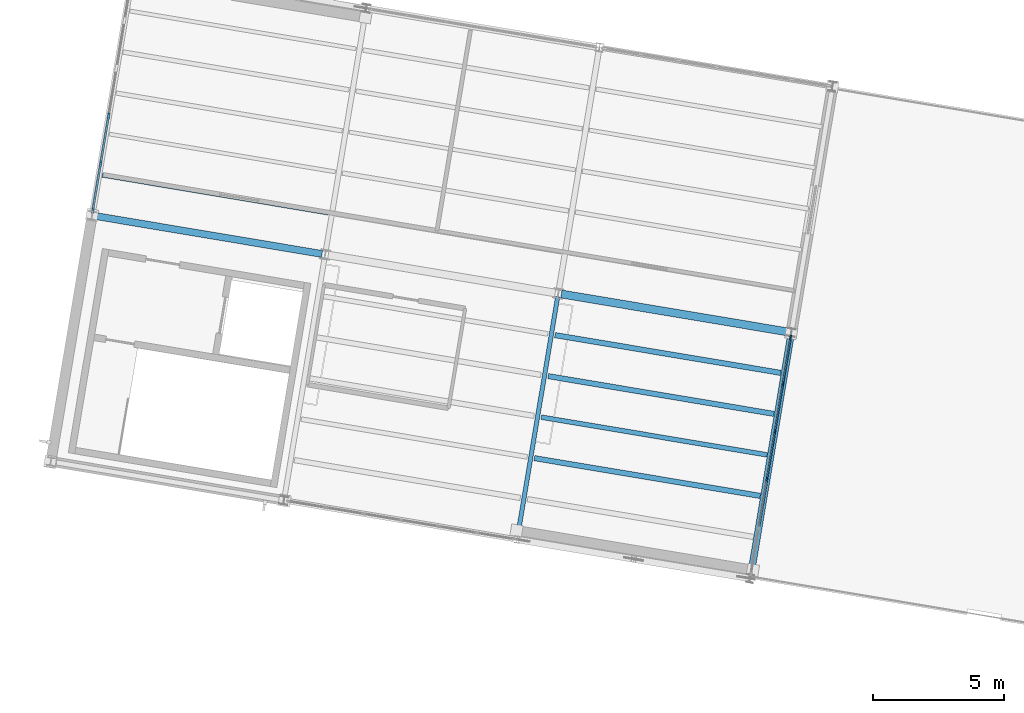
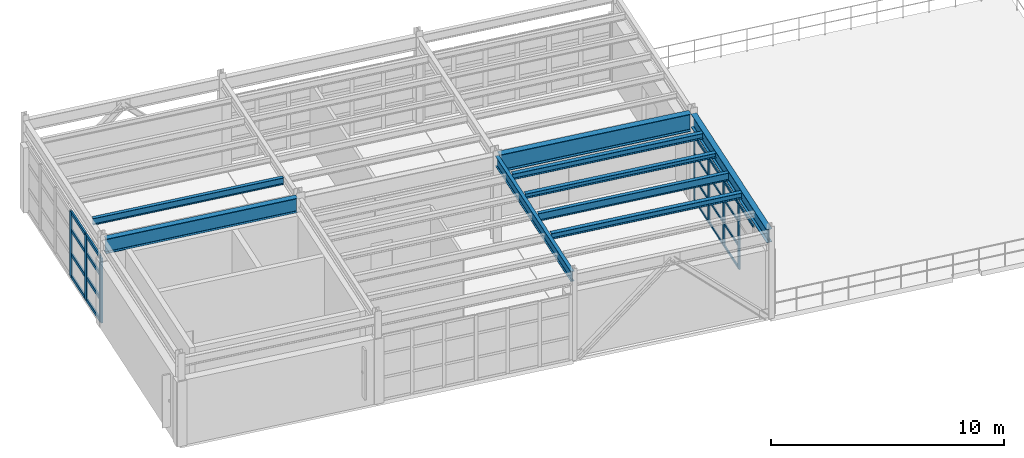
# One storey, part 24 of 59: 28 members, 9 beams, 2 elements without a shape of their own.
"""IFC4 building model written with IfcOpenShell, lengths in metres."""

from ifc_helpers import new_model, si_unit, direction, frame, origin, origin_2d, place, context, subcontext, project, spatial, rectangle, i_section, extrude, material, layer, layer_set, material_profile, profile_set, type_object, element, aggregate, save


model = new_model("IFC4")

# Units and contexts
model_context = context("Model", 3, precision=1e-05, world=origin(), true_north=direction((0.0, 1.0)))
body_context = subcontext(model_context, "Body", "Model", "MODEL_VIEW")
ifc_project = project(units=[si_unit("LENGTHUNIT", "METRE"), si_unit("AREAUNIT", "SQUARE_METRE"), si_unit("VOLUMEUNIT", "CUBIC_METRE"), si_unit("PLANEANGLEUNIT", "RADIAN"), si_unit("MASSUNIT", "GRAM", prefix="KILO")], contexts=[model_context])

# Site, building, storey
site_placement = place(None, origin())
site = spatial("IfcSite", under=ifc_project, at=site_placement, CompositionType="ELEMENT")
building_placement = place(site_placement, origin())
building = spatial("IfcBuilding", under=site, at=building_placement, Name="Vireo Bluff Cable Station", CompositionType="ELEMENT")
storey_placement = place(building_placement, frame((0.0, 0.0, 14.39990234375)))
storey = spatial("IfcBuildingStorey", under=building, at=storey_placement, Name="L03", CompositionType="ELEMENT", Elevation=14.39990234375)

# Beam
ifc_material_1 = material(Name="Steel ASTM A992 Gr. 50", Category="steel")
ifc_material_profile_1 = material_profile(ifc_material_1, i_section(OverallWidth=0.166015625, OverallDepth=0.528076171875, WebThickness=0.009765625, FlangeThickness=0.013671875, FilletRadius=0.012939453125, at=origin_2d()), Name="W21X50")
ifc_profile_set_1 = profile_set([ifc_material_profile_1], Name="Steel ASTM A992 Gr. 50")
beam_type_1 = type_object("IfcBeamType", Name="BM-W21X50", PredefinedType="BEAM", material=ifc_profile_set_1)
beam_1_placement = place(storey_placement, frame((24.8408203125, 78.01708984375, 4.236083984375), z_axis=(0.165044536891, 0.986286115102, 0.0), x_axis=(-0.986286115102, 0.165044536891, 0.0)))
element("IfcBeam", 1, at=beam_1_placement, inside=storey, type_object=beam_type_1, Name="V4 L03 beam 1061", PredefinedType="BEAM", context=body_context, shape_type="SweptSolid", body=[
    extrude(i_section(OverallWidth=0.166015625, OverallDepth=0.528076171875, WebThickness=0.009765625, FlangeThickness=0.013671875, FilletRadius=0.012939453125, at=origin_2d()), origin(), (0.0, 0.0, 1.0), 9.260009765625),
])

# Curtain wall, members
ifc_material_2 = material(Name="Anodized Aluminium 6063-T6", Category="aluminium")
ifc_layer_1 = layer(ifc_material_2, 0.159912109375, Name="Anodized Aluminium 6063-T6")
ifc_layer_set_1 = layer_set([ifc_layer_1], Name="Anodized Aluminium 6063-T6")
curtain_wall_type_1 = type_object("IfcCurtainWallType", Name="CW-STICK-1750", PredefinedType="USERDEFINED", material=ifc_layer_set_1)
curtain_wall_1_placement = place(storey_placement, origin())
curtain_wall_1 = element("IfcCurtainWall", 2, at=curtain_wall_1_placement, inside=storey, type_object=curtain_wall_type_1, Name="V4 L03 east curtain wall CW-110", ObjectType="STICK CURTAIN WALL", PredefinedType="USERDEFINED")
ifc_material_profile_2 = material_profile(ifc_material_2, rectangle(XDim=0.06005859375, YDim=0.159912109375, at=origin_2d()), Name="ALU-M-60X160")
ifc_profile_set_2 = profile_set([ifc_material_profile_2], Name="Anodized Aluminium 6063-T6")
member_type_1 = type_object("IfcMemberType", Name="CWM-03", PredefinedType="MULLION", material=ifc_profile_set_2)
member_1_placement = place(storey_placement, frame((35.235107421875, 85.60009765625, 0.0), z_axis=(0.0, 0.0, 1.0), x_axis=(0.986285602456, -0.165047600369, 0.0)))
member_1 = element("IfcMember", 3, at=member_1_placement, type_object=member_type_1, Name="CW-110 mullion 1", PredefinedType="MULLION", context=body_context, shape_type="SweptSolid", body=[
    extrude(rectangle(XDim=0.06005859375, YDim=0.159912109375, at=origin_2d()), origin(), (0.0, 0.0, 1.0), 3.400146484375),
])
member_2_placement = place(storey_placement, frame((34.9365234375, 83.817138671875, 0.0), z_axis=(0.0, 0.0, 1.0), x_axis=(0.986285602456, -0.165047600369, 0.0)))
member_2 = element("IfcMember", 4, at=member_2_placement, type_object=member_type_1, Name="CW-110 mullion 2", PredefinedType="MULLION", context=body_context, shape_type="SweptSolid", body=[
    extrude(rectangle(XDim=0.06005859375, YDim=0.159912109375, at=origin_2d()), origin(), (0.0, 0.0, 1.0), 3.400146484375),
])
member_3_placement = place(storey_placement, frame((34.63330078125, 82.00439453125, 0.0), z_axis=(0.0, 0.0, 1.0), x_axis=(0.986285602456, -0.165047600369, 0.0)))
member_3 = element("IfcMember", 5, at=member_3_placement, type_object=member_type_1, Name="CW-110 mullion 3", PredefinedType="MULLION", context=body_context, shape_type="SweptSolid", body=[
    extrude(rectangle(XDim=0.06005859375, YDim=0.159912109375, at=origin_2d()), origin(), (0.0, 0.0, 1.0), 3.400146484375),
])
member_4_placement = place(storey_placement, frame((34.329833984375, 80.191650390625, 0.0), z_axis=(0.0, 0.0, 1.0), x_axis=(0.986285602456, -0.165047600369, 0.0)))
member_4 = element("IfcMember", 6, at=member_4_placement, type_object=member_type_1, Name="CW-110 mullion 4", PredefinedType="MULLION", context=body_context, shape_type="SweptSolid", body=[
    extrude(rectangle(XDim=0.06005859375, YDim=0.159912109375, at=origin_2d()), origin(), (0.0, 0.0, 1.0), 3.400146484375),
])

ifc_layer_2 = layer(ifc_material_2, 0.159912109375, Name="Anodized Aluminium 6063-T6")
ifc_layer_set_2 = layer_set([ifc_layer_2], Name="Anodized Aluminium 6063-T6")
curtain_wall_type_2 = type_object("IfcCurtainWallType", Name="CW-STICK-1850", PredefinedType="USERDEFINED", material=ifc_layer_set_2)
curtain_wall_2_placement = place(storey_placement, origin())
curtain_wall_2 = element("IfcCurtainWall", 7, at=curtain_wall_2_placement, inside=storey, type_object=curtain_wall_type_2, Name="V4 L03 west curtain wall CW-107", ObjectType="STICK CURTAIN WALL", PredefinedType="USERDEFINED")
ifc_material_profile_3 = material_profile(ifc_material_2, rectangle(XDim=0.080078125, YDim=0.239990234375, at=origin_2d()), Name="ALU-M-80X240")
ifc_profile_set_3 = profile_set([ifc_material_profile_3], Name="Anodized Aluminium 6063-T6")
member_type_2 = type_object("IfcMemberType", Name="CWM-04", PredefinedType="MULLION", material=ifc_profile_set_3)
member_5_placement = place(storey_placement, frame((8.6689453125, 90.436279296875, 0.0), z_axis=(0.0, 0.0, 1.0), x_axis=(-0.986285614232, 0.165047529999, 0.0)))
member_5 = element("IfcMember", 8, at=member_5_placement, type_object=member_type_2, Name="CW-107 mullion 1", PredefinedType="MULLION", context=body_context, shape_type="SweptSolid", body=[
    extrude(rectangle(XDim=0.080078125, YDim=0.239990234375, at=origin_2d()), origin(), (0.0, 0.0, 1.0), 3.400146484375),
])
member_6_placement = place(storey_placement, frame((8.966064453125, 92.212890625, 0.0), z_axis=(0.0, 0.0, 1.0), x_axis=(-0.986285614232, 0.165047529999, 0.0)))
member_6 = element("IfcMember", 9, at=member_6_placement, type_object=member_type_2, Name="CW-107 mullion 2", PredefinedType="MULLION", context=body_context, shape_type="SweptSolid", body=[
    extrude(rectangle(XDim=0.080078125, YDim=0.239990234375, at=origin_2d()), origin(), (0.0, 0.0, 1.0), 3.400146484375),
])
member_7_placement = place(storey_placement, frame((9.27001953125, 94.02880859375, 0.0), z_axis=(0.0, 0.0, 1.0), x_axis=(-0.986285614232, 0.165047529999, 0.0)))
member_7 = element("IfcMember", 10, at=member_7_placement, type_object=member_type_2, Name="CW-107 mullion 3", PredefinedType="MULLION", context=body_context, shape_type="SweptSolid", body=[
    extrude(rectangle(XDim=0.080078125, YDim=0.239990234375, at=origin_2d()), origin(), (0.0, 0.0, 1.0), 3.400146484375),
])

# Member
ifc_material_profile_4 = material_profile(ifc_material_2, rectangle(XDim=0.06005859375, YDim=0.1201171875, at=origin_2d()), Name="ALU-T-60X120")
ifc_profile_set_4 = profile_set([ifc_material_profile_4], Name="Anodized Aluminium 6063-T6")
member_type_3 = type_object("IfcMemberType", Name="CWT-03", PredefinedType="USERDEFINED", material=ifc_profile_set_4)
member_8_placement = place(storey_placement, frame((35.22998046875, 85.570556640625, 0.030029296875), z_axis=(-0.164965241336, -0.986299381096, 0.0), x_axis=(0.986299381096, -0.164965241336, 0.0)))
member_8 = element("IfcMember", 11, at=member_8_placement, type_object=member_type_3, Name="CW-110 transom 1.1", ObjectType="TRANSOM", PredefinedType="USERDEFINED", context=body_context, shape_type="SweptSolid", body=[
    extrude(rectangle(XDim=0.06005859375, YDim=0.1201171875, at=origin_2d()), origin(), (0.0, 0.0, 1.0), 1.747802734375),
])

member_9_placement = place(storey_placement, frame((35.22998046875, 85.570556640625, 1.190185546875), z_axis=(-0.164965241336, -0.986299381096, 0.0), x_axis=(0.986299381096, -0.164965241336, 0.0)))
member_9 = element("IfcMember", 12, at=member_9_placement, type_object=member_type_3, Name="CW-110 transom 1.2", ObjectType="TRANSOM", PredefinedType="USERDEFINED", context=body_context, shape_type="SweptSolid", body=[
    extrude(rectangle(XDim=0.06005859375, YDim=0.1201171875, at=origin_2d()), origin(), (0.0, 0.0, 1.0), 1.747802734375),
])

member_10_placement = place(storey_placement, frame((35.22998046875, 85.570556640625, 2.447998046875), z_axis=(-0.164965241336, -0.986299381096, 0.0), x_axis=(0.986299381096, -0.164965241336, 0.0)))
member_10 = element("IfcMember", 13, at=member_10_placement, type_object=member_type_3, Name="CW-110 transom 1.3", ObjectType="TRANSOM", PredefinedType="USERDEFINED", context=body_context, shape_type="SweptSolid", body=[
    extrude(rectangle(XDim=0.06005859375, YDim=0.1201171875, at=origin_2d()), origin(), (0.0, 0.0, 1.0), 1.747802734375),
])

member_11_placement = place(storey_placement, frame((35.22998046875, 85.570556640625, 3.3701171875), z_axis=(-0.164965241336, -0.986299381096, 0.0), x_axis=(0.986299381096, -0.164965241336, 0.0)))
member_11 = element("IfcMember", 14, at=member_11_placement, type_object=member_type_3, Name="CW-110 transom 1.4", ObjectType="TRANSOM", PredefinedType="USERDEFINED", context=body_context, shape_type="SweptSolid", body=[
    extrude(rectangle(XDim=0.06005859375, YDim=0.1201171875, at=origin_2d()), origin(), (0.0, 0.0, 1.0), 1.747802734375),
])

member_12_placement = place(storey_placement, frame((34.931640625, 83.78759765625, 0.030029296875), z_axis=(-0.165044672569, -0.986286092397, 0.0), x_axis=(0.986286092397, -0.165044672569, 0.0)))
member_12 = element("IfcMember", 15, at=member_12_placement, type_object=member_type_3, Name="CW-110 transom 2.1", ObjectType="TRANSOM", PredefinedType="USERDEFINED", context=body_context, shape_type="SweptSolid", body=[
    extrude(rectangle(XDim=0.06005859375, YDim=0.1201171875, at=origin_2d()), origin(), (0.0, 0.0, 1.0), 1.778076171875),
])

member_13_placement = place(storey_placement, frame((34.931640625, 83.78759765625, 1.190185546875), z_axis=(-0.165044672569, -0.986286092397, 0.0), x_axis=(0.986286092397, -0.165044672569, 0.0)))
member_13 = element("IfcMember", 16, at=member_13_placement, type_object=member_type_3, Name="CW-110 transom 2.2", ObjectType="TRANSOM", PredefinedType="USERDEFINED", context=body_context, shape_type="SweptSolid", body=[
    extrude(rectangle(XDim=0.06005859375, YDim=0.1201171875, at=origin_2d()), origin(), (0.0, 0.0, 1.0), 1.778076171875),
])

member_14_placement = place(storey_placement, frame((34.931640625, 83.78759765625, 2.447998046875), z_axis=(-0.165044672569, -0.986286092397, 0.0), x_axis=(0.986286092397, -0.165044672569, 0.0)))
member_14 = element("IfcMember", 17, at=member_14_placement, type_object=member_type_3, Name="CW-110 transom 2.3", ObjectType="TRANSOM", PredefinedType="USERDEFINED", context=body_context, shape_type="SweptSolid", body=[
    extrude(rectangle(XDim=0.06005859375, YDim=0.1201171875, at=origin_2d()), origin(), (0.0, 0.0, 1.0), 1.778076171875),
])

member_15_placement = place(storey_placement, frame((34.931640625, 83.78759765625, 3.3701171875), z_axis=(-0.165044672569, -0.986286092397, 0.0), x_axis=(0.986286092397, -0.165044672569, 0.0)))
member_15 = element("IfcMember", 18, at=member_15_placement, type_object=member_type_3, Name="CW-110 transom 2.4", ObjectType="TRANSOM", PredefinedType="USERDEFINED", context=body_context, shape_type="SweptSolid", body=[
    extrude(rectangle(XDim=0.06005859375, YDim=0.1201171875, at=origin_2d()), origin(), (0.0, 0.0, 1.0), 1.778076171875),
])

member_16_placement = place(storey_placement, frame((34.62841796875, 81.974853515625, 0.030029296875), z_axis=(-0.165044672569, -0.986286092397, 0.0), x_axis=(0.986286092397, -0.165044672569, 0.0)))
member_16 = element("IfcMember", 19, at=member_16_placement, type_object=member_type_3, Name="CW-110 transom 3.1", ObjectType="TRANSOM", PredefinedType="USERDEFINED", context=body_context, shape_type="SweptSolid", body=[
    extrude(rectangle(XDim=0.06005859375, YDim=0.1201171875, at=origin_2d()), origin(), (0.0, 0.0, 1.0), 1.778076171875),
])

member_17_placement = place(storey_placement, frame((34.62841796875, 81.974853515625, 1.190185546875), z_axis=(-0.165044672569, -0.986286092397, 0.0), x_axis=(0.986286092397, -0.165044672569, 0.0)))
member_17 = element("IfcMember", 20, at=member_17_placement, type_object=member_type_3, Name="CW-110 transom 3.2", ObjectType="TRANSOM", PredefinedType="USERDEFINED", context=body_context, shape_type="SweptSolid", body=[
    extrude(rectangle(XDim=0.06005859375, YDim=0.1201171875, at=origin_2d()), origin(), (0.0, 0.0, 1.0), 1.778076171875),
])

member_18_placement = place(storey_placement, frame((34.62841796875, 81.974853515625, 2.447998046875), z_axis=(-0.165044672569, -0.986286092397, 0.0), x_axis=(0.986286092397, -0.165044672569, 0.0)))
member_18 = element("IfcMember", 21, at=member_18_placement, type_object=member_type_3, Name="CW-110 transom 3.3", ObjectType="TRANSOM", PredefinedType="USERDEFINED", context=body_context, shape_type="SweptSolid", body=[
    extrude(rectangle(XDim=0.06005859375, YDim=0.1201171875, at=origin_2d()), origin(), (0.0, 0.0, 1.0), 1.778076171875),
])

member_19_placement = place(storey_placement, frame((34.62841796875, 81.974853515625, 3.3701171875), z_axis=(-0.165044672569, -0.986286092397, 0.0), x_axis=(0.986286092397, -0.165044672569, 0.0)))
member_19 = element("IfcMember", 22, at=member_19_placement, type_object=member_type_3, Name="CW-110 transom 3.4", ObjectType="TRANSOM", PredefinedType="USERDEFINED", context=body_context, shape_type="SweptSolid", body=[
    extrude(rectangle(XDim=0.06005859375, YDim=0.1201171875, at=origin_2d()), origin(), (0.0, 0.0, 1.0), 1.778076171875),
])

member_20_placement = place(storey_placement, frame((34.324951171875, 80.162109375, 3.3701171875), z_axis=(-0.165067026786, -0.986282351392, 0.0), x_axis=(0.986282351392, -0.165067026786, 0.0)))
member_20 = element("IfcMember", 23, at=member_20_placement, type_object=member_type_3, Name="CW-110 transom 4.4", ObjectType="TRANSOM", PredefinedType="USERDEFINED", context=body_context, shape_type="SweptSolid", body=[
    extrude(rectangle(XDim=0.06005859375, YDim=0.1201171875, at=origin_2d()), origin(), (0.0, 0.0, 1.0), 1.77783203125),
])

aggregate(curtain_wall_1, [member_1, member_2, member_3, member_4, member_8, member_9, member_10, member_11, member_12, member_13, member_14, member_15, member_16, member_17, member_18, member_19, member_20])

ifc_material_profile_5 = material_profile(ifc_material_2, rectangle(XDim=0.080078125, YDim=0.175048828125, at=origin_2d()), Name="ALU-T-80X175")
ifc_profile_set_5 = profile_set([ifc_material_profile_5], Name="Anodized Aluminium 6063-T6")
member_type_4 = type_object("IfcMemberType", Name="CWT-04", PredefinedType="USERDEFINED", material=ifc_profile_set_5)
member_21_placement = place(storey_placement, frame((8.675537109375, 90.4755859375, 0.0400390625), z_axis=(0.164950957517, 0.986301770055, 0.0), x_axis=(-0.986301770055, 0.164950957517, 0.0)))
member_21 = element("IfcMember", 24, at=member_21_placement, type_object=member_type_4, Name="CW-107 transom 1.1", ObjectType="TRANSOM", PredefinedType="USERDEFINED", context=body_context, shape_type="SweptSolid", body=[
    extrude(rectangle(XDim=0.080078125, YDim=0.175048828125, at=origin_2d()), origin(), (0.0, 0.0, 1.0), 1.721435546875),
])

member_22_placement = place(storey_placement, frame((8.675537109375, 90.4755859375, 1.190185546875), z_axis=(0.164950957517, 0.986301770055, 0.0), x_axis=(-0.986301770055, 0.164950957517, 0.0)))
member_22 = element("IfcMember", 25, at=member_22_placement, type_object=member_type_4, Name="CW-107 transom 1.2", ObjectType="TRANSOM", PredefinedType="USERDEFINED", context=body_context, shape_type="SweptSolid", body=[
    extrude(rectangle(XDim=0.080078125, YDim=0.175048828125, at=origin_2d()), origin(), (0.0, 0.0, 1.0), 1.721435546875),
])

member_23_placement = place(storey_placement, frame((8.675537109375, 90.4755859375, 2.447998046875), z_axis=(0.164950957517, 0.986301770055, 0.0), x_axis=(-0.986301770055, 0.164950957517, 0.0)))
member_23 = element("IfcMember", 26, at=member_23_placement, type_object=member_type_4, Name="CW-107 transom 1.3", ObjectType="TRANSOM", PredefinedType="USERDEFINED", context=body_context, shape_type="SweptSolid", body=[
    extrude(rectangle(XDim=0.080078125, YDim=0.175048828125, at=origin_2d()), origin(), (0.0, 0.0, 1.0), 1.721435546875),
])

member_24_placement = place(storey_placement, frame((8.675537109375, 90.4755859375, 3.360107421875), z_axis=(0.164950957517, 0.986301770055, 0.0), x_axis=(-0.986301770055, 0.164950957517, 0.0)))
member_24 = element("IfcMember", 27, at=member_24_placement, type_object=member_type_4, Name="CW-107 transom 1.4", ObjectType="TRANSOM", PredefinedType="USERDEFINED", context=body_context, shape_type="SweptSolid", body=[
    extrude(rectangle(XDim=0.080078125, YDim=0.175048828125, at=origin_2d()), origin(), (0.0, 0.0, 1.0), 1.721435546875),
])

member_25_placement = place(storey_placement, frame((8.97265625, 92.252197265625, 0.0400390625), z_axis=(0.165073221706, 0.986281314573, 0.0), x_axis=(-0.986281314573, 0.165073221706, 0.0)))
member_25 = element("IfcMember", 28, at=member_25_placement, type_object=member_type_4, Name="CW-107 transom 2.1", ObjectType="TRANSOM", PredefinedType="USERDEFINED", context=body_context, shape_type="SweptSolid", body=[
    extrude(rectangle(XDim=0.080078125, YDim=0.175048828125, at=origin_2d()), origin(), (0.0, 0.0, 1.0), 1.761474609375),
])

member_26_placement = place(storey_placement, frame((8.97265625, 92.252197265625, 1.190185546875), z_axis=(0.165073221706, 0.986281314573, 0.0), x_axis=(-0.986281314573, 0.165073221706, 0.0)))
member_26 = element("IfcMember", 29, at=member_26_placement, type_object=member_type_4, Name="CW-107 transom 2.2", ObjectType="TRANSOM", PredefinedType="USERDEFINED", context=body_context, shape_type="SweptSolid", body=[
    extrude(rectangle(XDim=0.080078125, YDim=0.175048828125, at=origin_2d()), origin(), (0.0, 0.0, 1.0), 1.761474609375),
])

member_27_placement = place(storey_placement, frame((8.97265625, 92.252197265625, 2.447998046875), z_axis=(0.165073221706, 0.986281314573, 0.0), x_axis=(-0.986281314573, 0.165073221706, 0.0)))
member_27 = element("IfcMember", 30, at=member_27_placement, type_object=member_type_4, Name="CW-107 transom 2.3", ObjectType="TRANSOM", PredefinedType="USERDEFINED", context=body_context, shape_type="SweptSolid", body=[
    extrude(rectangle(XDim=0.080078125, YDim=0.175048828125, at=origin_2d()), origin(), (0.0, 0.0, 1.0), 1.761474609375),
])

member_28_placement = place(storey_placement, frame((8.97265625, 92.252197265625, 3.360107421875), z_axis=(0.165073221706, 0.986281314573, 0.0), x_axis=(-0.986281314573, 0.165073221706, 0.0)))
member_28 = element("IfcMember", 31, at=member_28_placement, type_object=member_type_4, Name="CW-107 transom 2.4", ObjectType="TRANSOM", PredefinedType="USERDEFINED", context=body_context, shape_type="SweptSolid", body=[
    extrude(rectangle(XDim=0.080078125, YDim=0.175048828125, at=origin_2d()), origin(), (0.0, 0.0, 1.0), 1.761474609375),
])

aggregate(curtain_wall_2, [member_5, member_6, member_7, member_21, member_22, member_23, member_24, member_25, member_26, member_27, member_28])

# Beams
ifc_material_profile_6 = material_profile(ifc_material_1, i_section(OverallWidth=0.26708984375, OverallDepth=0.77001953125, WebThickness=0.015625, FlangeThickness=0.025390625, FilletRadius=0.01611328125, at=origin_2d()), Name="W30X132")
ifc_profile_set_6 = profile_set([ifc_material_profile_6], Name="Steel ASTM A992 Gr. 50")
beam_type_2 = type_object("IfcBeamType", Name="GIR-W30X132", PredefinedType="USERDEFINED", material=ifc_profile_set_6)
beam_2_placement = place(storey_placement, frame((8.754150390625, 90.2197265625, 4.114990234375), z_axis=(0.986285998922, -0.165045231163, 0.0), x_axis=(0.165045231163, 0.986285998922, 0.0)))
element("IfcBeam", 32, at=beam_2_placement, inside=storey, type_object=beam_type_2, Name="V4 L03 girder 1051", ObjectType="GIRDER", PredefinedType="USERDEFINED", context=body_context, shape_type="SweptSolid", body=[
    extrude(i_section(OverallWidth=0.26708984375, OverallDepth=0.77001953125, WebThickness=0.015625, FlangeThickness=0.025390625, FilletRadius=0.01611328125, at=origin_2d()), origin(), (0.0, 0.0, 1.0), 8.760009765625),
])
ifc_material_profile_7 = material_profile(ifc_material_1, i_section(OverallWidth=0.303955078125, OverallDepth=0.912109375, WebThickness=0.015869140625, FlangeThickness=0.02392578125, FilletRadius=0.02001953125, at=origin_2d()), Name="W36X150")
ifc_profile_set_7 = profile_set([ifc_material_profile_7], Name="Steel ASTM A992 Gr. 50")
beam_type_3 = type_object("IfcBeamType", Name="GIR-W36X150", PredefinedType="USERDEFINED", material=ifc_profile_set_7)
beam_3_placement = place(storey_placement, frame((26.50732421875, 87.248779296875, 4.044189453125), z_axis=(0.986285998922, -0.165045231163, 0.0), x_axis=(0.165045231163, 0.986285998922, 0.0)))
element("IfcBeam", 33, at=beam_3_placement, inside=storey, type_object=beam_type_3, Name="V4 L03 girder 1053", ObjectType="GIRDER", PredefinedType="USERDEFINED", context=body_context, shape_type="SweptSolid", body=[
    extrude(i_section(OverallWidth=0.303955078125, OverallDepth=0.912109375, WebThickness=0.015869140625, FlangeThickness=0.02392578125, FilletRadius=0.02001953125, at=origin_2d()), origin(), (0.0, 0.0, 1.0), 8.760009765625),
])
ifc_material_profile_8 = material_profile(ifc_material_1, i_section(OverallWidth=0.201904296875, OverallDepth=0.2470703125, WebThickness=0.00732421875, FlangeThickness=0.010986328125, FilletRadius=0.009033203125, at=origin_2d()), Name="W10X33")
ifc_profile_set_8 = profile_set([ifc_material_profile_8], Name="Steel ASTM A992 Gr. 50")
beam_type_4 = type_object("IfcBeamType", Name="JST-W10X33", PredefinedType="JOIST", material=ifc_profile_set_8)
beam_4_placement = place(storey_placement, frame((26.00439453125, 84.122314453125, 4.376708984375), z_axis=(0.986286264339, -0.165043645063, 0.0), x_axis=(0.165043645063, 0.986286264339, 0.0)))
element("IfcBeam", 34, at=beam_4_placement, inside=storey, type_object=beam_type_4, Name="V4 L03 composite joist 1083", PredefinedType="JOIST", context=body_context, shape_type="SweptSolid", body=[
    extrude(i_section(OverallWidth=0.201904296875, OverallDepth=0.2470703125, WebThickness=0.00732421875, FlangeThickness=0.010986328125, FilletRadius=0.009033203125, at=origin_2d()), origin(), (0.0, 0.0, 1.0), 8.72021484375),
])
ifc_material_profile_9 = material_profile(ifc_material_1, i_section(OverallWidth=0.202880859375, OverallDepth=0.302978515625, WebThickness=0.007568359375, FlangeThickness=0.01318359375, FilletRadius=0.010009765625, at=origin_2d()), Name="W12X40")
ifc_profile_set_9 = profile_set([ifc_material_profile_9], Name="Steel ASTM A992 Gr. 50")
beam_type_5 = type_object("IfcBeamType", Name="JST-W12X40", PredefinedType="JOIST", material=ifc_profile_set_9)
for number, where, z_axis, x_axis, name in (
    (35, (25.48193359375, 80.9990234375, 4.3486328125), (0.98628550168, -0.165048202583, 0.0), (0.165048202583, 0.98628550168, 0.0), "V4 L03 composite joist 1081"),
    (36, (26.265869140625, 85.683837890625, 4.3486328125), (0.98628550168, -0.165048202583, 0.0), (0.165048202583, 0.98628550168, 0.0), "V4 L03 composite joist 1084"),
):
    element("IfcBeam", number, at=place(storey_placement, frame(where, z_axis=z_axis, x_axis=x_axis)), inside=storey, type_object=beam_type_5, Name=name, PredefinedType="JOIST", context=body_context, shape_type="SweptSolid", body=[
        extrude(i_section(OverallWidth=0.202880859375, OverallDepth=0.302978515625, WebThickness=0.007568359375, FlangeThickness=0.01318359375, FilletRadius=0.010009765625, at=origin_2d()), origin(), (0.0, 0.0, 1.0), 8.719970703125),
    ])
ifc_material_profile_10 = material_profile(ifc_material_1, i_section(OverallWidth=0.1708984375, OverallDepth=0.35107421875, WebThickness=0.0068359375, FlangeThickness=0.009765625, FilletRadius=0.010009765625, at=origin_2d()), Name="W14X30")
ifc_profile_set_10 = profile_set([ifc_material_profile_10], Name="Steel ASTM A992 Gr. 50")
beam_type_6 = type_object("IfcBeamType", Name="JST-W14X30", PredefinedType="JOIST", material=ifc_profile_set_10)
beam_5_placement = place(storey_placement, frame((9.035400390625, 91.77783203125, 4.32470703125), z_axis=(0.98628550168, -0.165048202583, 0.0), x_axis=(0.165048202583, 0.98628550168, 0.0)))
element("IfcBeam", 37, at=beam_5_placement, inside=storey, type_object=beam_type_6, Name="V4 L03 composite joist 1065", PredefinedType="JOIST", context=body_context, shape_type="SweptSolid", body=[
    extrude(i_section(OverallWidth=0.1708984375, OverallDepth=0.35107421875, WebThickness=0.0068359375, FlangeThickness=0.009765625, FilletRadius=0.010009765625, at=origin_2d()), origin(), (0.0, 0.0, 1.0), 8.719970703125),
])
ifc_material_profile_11 = material_profile(ifc_material_1, i_section(OverallWidth=0.177978515625, OverallDepth=0.404052734375, WebThickness=0.007568359375, FlangeThickness=0.010986328125, FilletRadius=0.010009765625, at=origin_2d()), Name="W16X36")
ifc_profile_set_11 = profile_set([ifc_material_profile_11], Name="Steel ASTM A992 Gr. 50")
beam_type_7 = type_object("IfcBeamType", Name="JST-W16X36", PredefinedType="JOIST", material=ifc_profile_set_11)
beam_6_placement = place(storey_placement, frame((25.7431640625, 82.560546875, 4.298095703125), z_axis=(0.98628550168, -0.165048202583, 0.0), x_axis=(0.165048202583, 0.98628550168, 0.0)))
element("IfcBeam", 38, at=beam_6_placement, inside=storey, type_object=beam_type_7, Name="V4 L03 composite joist 1082", PredefinedType="JOIST", context=body_context, shape_type="SweptSolid", body=[
    extrude(i_section(OverallWidth=0.177978515625, OverallDepth=0.404052734375, WebThickness=0.007568359375, FlangeThickness=0.010986328125, FilletRadius=0.010009765625, at=origin_2d()), origin(), (0.0, 0.0, 1.0), 8.719970703125),
])
ifc_material_profile_12 = material_profile(ifc_material_1, i_section(OverallWidth=0.257080078125, OverallDepth=0.693115234375, WebThickness=0.014404296875, FlangeThickness=0.023681640625, FilletRadius=0.014892578125, at=origin_2d()), Name="W27X114")
ifc_profile_set_12 = profile_set([ifc_material_profile_12], Name="Steel ASTM A992 Gr. 50")
beam_type_8 = type_object("IfcBeamType", Name="SPN-W27X114", PredefinedType="SPANDREL", material=ifc_profile_set_12)
beam_7_placement = place(storey_placement, frame((33.717529296875, 76.53173828125, 4.153564453125), z_axis=(0.165044536891, 0.986286115102, 0.0), x_axis=(-0.986286115102, 0.165044536891, 0.0)))
element("IfcBeam", 39, at=beam_7_placement, inside=storey, type_object=beam_type_8, Name="V4 L03 spandrel 1063", PredefinedType="SPANDREL", context=body_context, shape_type="SweptSolid", body=[
    extrude(i_section(OverallWidth=0.257080078125, OverallDepth=0.693115234375, WebThickness=0.014404296875, FlangeThickness=0.023681640625, FilletRadius=0.014892578125, at=origin_2d()), origin(), (0.0, 0.0, 1.0), 9.260009765625),
])

save(model, "model.ifc")
